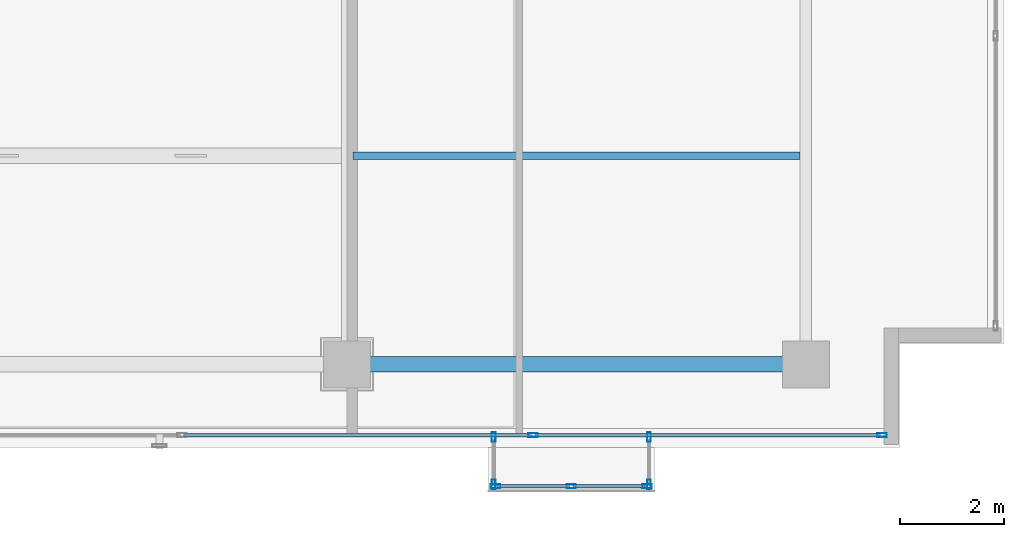
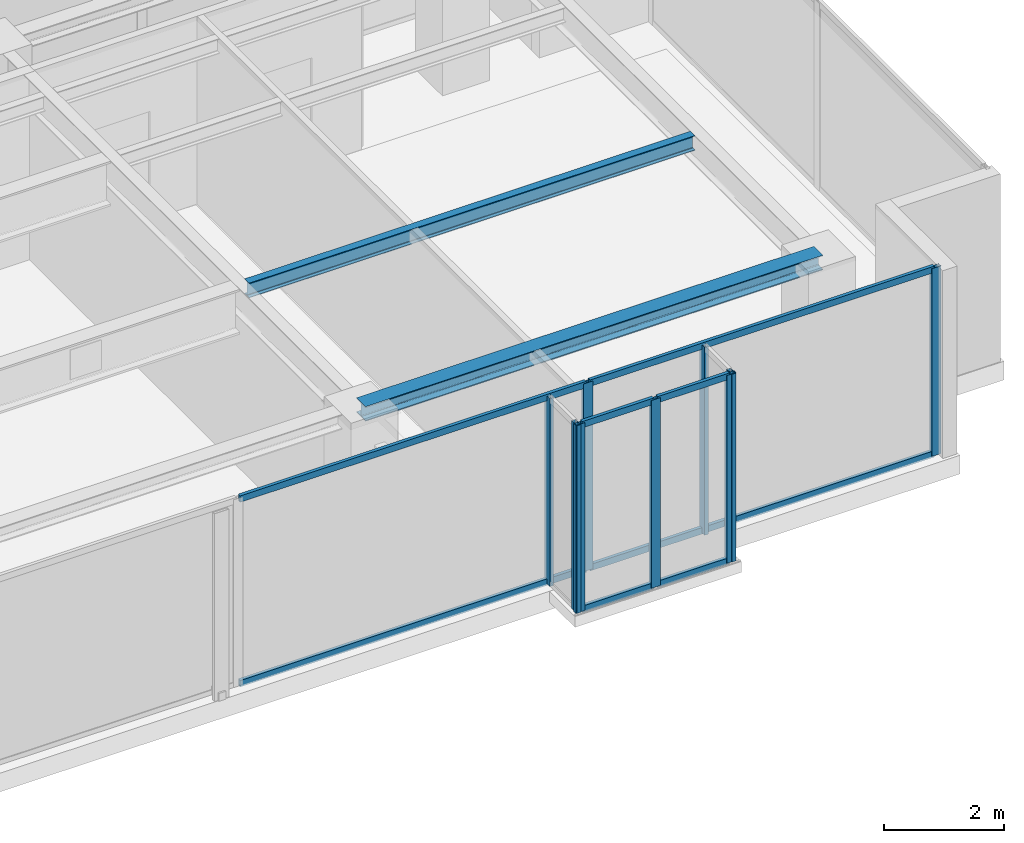
# One storey, part 15 of 32: 17 members, 2 beams, 4 elements without a shape of their own.
"""IFC4 building model written with IfcOpenShell, lengths in metres."""

from ifc_helpers import new_model, si_unit, direction, frame, origin, origin_with_axes, origin_2d, place, context, subcontext, project, spatial, hollow_rectangle, i_section, extrude, source, transform, mapped, material, layer, layer_set, material_profile, profile_set, type_object, element, aggregate, save


model = new_model("IFC4")

# Units and contexts
model_context = context("Model", 3, precision=1e-05, world=origin(), true_north=direction((0.0, 1.0)))
body_context = subcontext(model_context, "Body", "Model", "MODEL_VIEW")
ifc_project = project(units=[si_unit("LENGTHUNIT", "METRE"), si_unit("AREAUNIT", "SQUARE_METRE"), si_unit("VOLUMEUNIT", "CUBIC_METRE"), si_unit("PLANEANGLEUNIT", "RADIAN"), si_unit("MASSUNIT", "GRAM", prefix="KILO")], contexts=[model_context])

# Site, building, storey
site_placement = place(None, origin())
site = spatial("IfcSite", under=ifc_project, at=site_placement, CompositionType="ELEMENT")
building_placement = place(site_placement, origin())
building = spatial("IfcBuilding", under=site, at=building_placement, Name="Kolvaren Waterfront Exchange", CompositionType="ELEMENT")
storey_placement = place(building_placement, frame((0.0, 0.0, 352.0)))
storey = spatial("IfcBuildingStorey", under=building, at=storey_placement, Name="L90", CompositionType="ELEMENT", Elevation=352.0)

# Beams
ifc_material_1 = material(Name="Steel S355", Category="steel")
ifc_material_profile_1 = material_profile(ifc_material_1, i_section(OverallWidth=0.300048828125, OverallDepth=0.300048828125, WebThickness=0.010986328125, FlangeThickness=0.01904296875, FilletRadius=0.027099609375, at=origin_2d()), Name="HEB300")
ifc_profile_set_1 = profile_set([ifc_material_profile_1], Name="Steel S355")
beam_type_1 = type_object("IfcBeamType", Name="STR-BM-HEB300", PredefinedType="SPANDREL", material=ifc_profile_set_1)
beam_1_placement = place(storey_placement, frame((36.800048828125, 5.199951171875, 3.669921875), z_axis=(1.0, 0.0, 0.0), x_axis=(0.0, 1.0, 0.0)))
element("IfcBeam", 1, at=beam_1_placement, inside=storey, type_object=beam_type_1, Name="L90 east-arm spandrel S3", PredefinedType="SPANDREL", context=body_context, shape_type="SweptSolid", body=[
    extrude(i_section(OverallWidth=0.300048828125, OverallDepth=0.300048828125, WebThickness=0.010986328125, FlangeThickness=0.01904296875, FilletRadius=0.027099609375, at=origin_2d()), origin(), (0.0, 0.0, 1.0), 8.800048828125),
])
ifc_material_profile_2 = material_profile(ifc_material_1, i_section(OverallWidth=0.14990234375, OverallDepth=0.300048828125, WebThickness=0.007080078125, FlangeThickness=0.0107421875, FilletRadius=0.014892578125, at=origin_2d()), Name="IPE300")
ifc_profile_set_2 = profile_set([ifc_material_profile_2], Name="Steel S355")
beam_type_2 = type_object("IfcBeamType", Name="STR-BM-IPE300", PredefinedType="JOIST", material=ifc_profile_set_2)
beam_2_placement = place(storey_placement, frame((36.912109375, 9.199951171875, 3.669921875), z_axis=(1.0, 0.0, 0.0), x_axis=(0.0, 1.0, 0.0)))
element("IfcBeam", 2, at=beam_2_placement, inside=storey, type_object=beam_type_2, Name="L90 east-arm composite joist 3B", PredefinedType="JOIST", context=body_context, shape_type="SweptSolid", body=[
    extrude(i_section(OverallWidth=0.14990234375, OverallDepth=0.300048828125, WebThickness=0.007080078125, FlangeThickness=0.0107421875, FilletRadius=0.014892578125, at=origin_2d()), origin(), (0.0, 0.0, 1.0), 8.575927734375),
])

# Curtain wall, members
ifc_material_2 = material(Name="Anodised bronze aluminium 6063-T6", Category="aluminium")
ifc_layer_1 = layer(ifc_material_2, 0.219970703125, Name="Anodised bronze aluminium 6063-T6")
ifc_layer_set_1 = layer_set([ifc_layer_1], Name="Anodised bronze aluminium 6063-T6")
curtain_wall_type_1 = type_object("IfcCurtainWallType", Name="ARC-CW-SYS3", PredefinedType="USERDEFINED", material=ifc_layer_set_1)
curtain_wall_1_placement = place(storey_placement, origin())
curtain_wall_1 = element("IfcCurtainWall", 3, at=curtain_wall_1_placement, inside=storey, type_object=curtain_wall_type_1, Name="L90 stick curtain wall CW3 (CW-L90-BOX)", ObjectType="STICK CURTAIN WALL", PredefinedType="USERDEFINED")
ifc_material_profile_3 = material_profile(ifc_material_2, hollow_rectangle(XDim=0.06494140625, YDim=0.1298828125, WallThickness=0.00390625, at=origin_2d()), Name="ALU-TRN-130x65x4")
ifc_profile_set_3 = profile_set([ifc_material_profile_3], Name="Anodised bronze aluminium 6063-T6")
member_type_1 = type_object("IfcMemberType", Name="ARC-CWT-130", PredefinedType="USERDEFINED", material=ifc_profile_set_3)
shared_shape_1 = source(origin_with_axes(), body_context, "Body", "SweptSolid", [
    extrude(hollow_rectangle(XDim=0.06494140625, YDim=0.1298828125, WallThickness=0.00390625, at=origin_2d()), origin(), (0.0, 0.0, 1.0), 1.37744140625),
])
member_1_placement = place(storey_placement, frame((39.68505859375, 2.860107421875, 0.032470703125), z_axis=(1.0, 0.0, 0.0), x_axis=(0.0, 1.0, 0.0)))
member_1 = element("IfcMember", 4, at=member_1_placement, type_object=member_type_1, Name="CW3 transom 1.1", ObjectType="TRANSOM", PredefinedType="USERDEFINED", context=body_context, shape_type="MappedRepresentation", body=[
    mapped(shared_shape_1, transform((0.0, 0.0, 0.0), x_axis=(1.0, 0.0, 0.0), y_axis=(0.0, 1.0, 0.0), z_axis=(0.0, 0.0, 1.0), scale=1.0)),
])
member_2_placement = place(storey_placement, frame((39.68505859375, 2.860107421875, 3.78759765625), z_axis=(1.0, 0.0, 0.0), x_axis=(0.0, 1.0, 0.0)))
member_2 = element("IfcMember", 5, at=member_2_placement, type_object=member_type_1, Name="CW3 transom 1.2", ObjectType="TRANSOM", PredefinedType="USERDEFINED", context=body_context, shape_type="MappedRepresentation", body=[
    mapped(shared_shape_1, transform((0.0, 0.0, 0.0), x_axis=(1.0, 0.0, 0.0), y_axis=(0.0, 1.0, 0.0), z_axis=(0.0, 0.0, 1.0), scale=1.0)),
])
member_3_placement = place(storey_placement, frame((41.137451171875, 2.860107421875, 0.032470703125), z_axis=(1.0, 0.0, 0.0), x_axis=(0.0, 1.0, 0.0)))
member_3 = element("IfcMember", 6, at=member_3_placement, type_object=member_type_1, Name="CW3 transom 2.1", ObjectType="TRANSOM", PredefinedType="USERDEFINED", context=body_context, shape_type="MappedRepresentation", body=[
    mapped(shared_shape_1, transform((0.0, 0.0, 0.0), x_axis=(1.0, 0.0, 0.0), y_axis=(0.0, 1.0, 0.0), z_axis=(0.0, 0.0, 1.0), scale=1.0)),
])
member_4_placement = place(storey_placement, frame((41.137451171875, 2.860107421875, 3.78759765625), z_axis=(1.0, 0.0, 0.0), x_axis=(0.0, 1.0, 0.0)))
member_4 = element("IfcMember", 7, at=member_4_placement, type_object=member_type_1, Name="CW3 transom 2.2", ObjectType="TRANSOM", PredefinedType="USERDEFINED", context=body_context, shape_type="MappedRepresentation", body=[
    mapped(shared_shape_1, transform((0.0, 0.0, 0.0), x_axis=(1.0, 0.0, 0.0), y_axis=(0.0, 1.0, 0.0), z_axis=(0.0, 0.0, 1.0), scale=1.0)),
])

ifc_layer_2 = layer(ifc_material_2, 0.219970703125, Name="Anodised bronze aluminium 6063-T6")
ifc_layer_set_2 = layer_set([ifc_layer_2], Name="Anodised bronze aluminium 6063-T6")
curtain_wall_type_2 = type_object("IfcCurtainWallType", Name="ARC-CW-SYS5", PredefinedType="USERDEFINED", material=ifc_layer_set_2)
curtain_wall_2_placement = place(storey_placement, origin())
curtain_wall_2 = element("IfcCurtainWall", 8, at=curtain_wall_2_placement, inside=storey, type_object=curtain_wall_type_2, Name="L90 stick curtain wall CW5 (CW-L90-S)", ObjectType="STICK CURTAIN WALL", PredefinedType="USERDEFINED")
shared_shape_2 = source(origin_with_axes(), body_context, "Body", "SweptSolid", [
    extrude(hollow_rectangle(XDim=0.06494140625, YDim=0.1298828125, WallThickness=0.00390625, at=origin_2d()), origin(), (0.0, 0.0, 1.0), 6.620849609375),
])
member_5_placement = place(storey_placement, frame((40.404052734375, 3.840087890625, 0.032470703125), z_axis=(1.0, 0.0, 0.0), x_axis=(0.0, 1.0, 0.0)))
member_5 = element("IfcMember", 9, at=member_5_placement, type_object=member_type_1, Name="CW5 transom 6.1", ObjectType="TRANSOM", PredefinedType="USERDEFINED", context=body_context, shape_type="MappedRepresentation", body=[
    mapped(shared_shape_2, transform((0.0, 0.0, 0.0), x_axis=(1.0, 0.0, 0.0), y_axis=(0.0, 1.0, 0.0), z_axis=(0.0, 0.0, 1.0), scale=1.0)),
])
member_6_placement = place(storey_placement, frame((40.404052734375, 3.840087890625, 3.78759765625), z_axis=(1.0, 0.0, 0.0), x_axis=(0.0, 1.0, 0.0)))
member_6 = element("IfcMember", 10, at=member_6_placement, type_object=member_type_1, Name="CW5 transom 6.2", ObjectType="TRANSOM", PredefinedType="USERDEFINED", context=body_context, shape_type="MappedRepresentation", body=[
    mapped(shared_shape_2, transform((0.0, 0.0, 0.0), x_axis=(1.0, 0.0, 0.0), y_axis=(0.0, 1.0, 0.0), z_axis=(0.0, 0.0, 1.0), scale=1.0)),
])
shared_shape_3 = source(origin_with_axes(), body_context, "Body", "SweptSolid", [
    extrude(hollow_rectangle(XDim=0.06494140625, YDim=0.1298828125, WallThickness=0.00390625, at=origin_2d()), origin(), (0.0, 0.0, 1.0), 6.658203125),
])
member_7_placement = place(storey_placement, frame((33.6708984375, 3.840087890625, 0.032470703125), z_axis=(1.0, 0.0, 0.0), x_axis=(0.0, 1.0, 0.0)))
member_7 = element("IfcMember", 11, at=member_7_placement, type_object=member_type_1, Name="CW5 transom 5.1", ObjectType="TRANSOM", PredefinedType="USERDEFINED", context=body_context, shape_type="MappedRepresentation", body=[
    mapped(shared_shape_3, transform((0.0, 0.0, 0.0), x_axis=(1.0, 0.0, 0.0), y_axis=(0.0, 1.0, 0.0), z_axis=(0.0, 0.0, 1.0), scale=1.0)),
])
member_8_placement = place(storey_placement, frame((33.6708984375, 3.840087890625, 3.78759765625), z_axis=(1.0, 0.0, 0.0), x_axis=(0.0, 1.0, 0.0)))
member_8 = element("IfcMember", 12, at=member_8_placement, type_object=member_type_1, Name="CW5 transom 5.2", ObjectType="TRANSOM", PredefinedType="USERDEFINED", context=body_context, shape_type="MappedRepresentation", body=[
    mapped(shared_shape_3, transform((0.0, 0.0, 0.0), x_axis=(1.0, 0.0, 0.0), y_axis=(0.0, 1.0, 0.0), z_axis=(0.0, 0.0, 1.0), scale=1.0)),
])

curtain_wall_3_placement = place(storey_placement, origin())
curtain_wall_3 = element("IfcCurtainWall", 13, at=curtain_wall_3_placement, inside=storey, type_object=curtain_wall_type_1, Name="L90 stick curtain wall CW3 (CW-L90-BOX-W)", ObjectType="STICK CURTAIN WALL", PredefinedType="USERDEFINED")
ifc_material_profile_4 = material_profile(ifc_material_2, hollow_rectangle(XDim=0.074951171875, YDim=0.179931640625, WallThickness=0.00439453125, at=origin_2d()), Name="ALU-MUL-180x75x4.5")
ifc_profile_set_4 = profile_set([ifc_material_profile_4], Name="Anodised bronze aluminium 6063-T6")
member_type_2 = type_object("IfcMemberType", Name="ARC-CWM-180", PredefinedType="MULLION", material=ifc_profile_set_4)
shared_shape_4 = source(origin_with_axes(), body_context, "Body", "SweptSolid", [
    extrude(hollow_rectangle(XDim=0.074951171875, YDim=0.179931640625, WallThickness=0.00439453125, at=origin_2d()), origin(), (0.0, 0.0, 1.0), 3.820068359375),
])
member_9_placement = place(storey_placement, frame((39.610107421875, 3.802490234375, 0.0), z_axis=(0.0, 0.0, 1.0), x_axis=(1.0, 0.0, 0.0)))
member_9 = element("IfcMember", 14, at=member_9_placement, type_object=member_type_2, Name="CW3 mullion 1", PredefinedType="MULLION", context=body_context, shape_type="MappedRepresentation", body=[
    mapped(shared_shape_4, transform((0.0, 0.0, 0.0), x_axis=(1.0, 0.0, 0.0), y_axis=(0.0, 1.0, 0.0), z_axis=(0.0, 0.0, 1.0), scale=1.0)),
])
member_10_placement = place(storey_placement, frame((39.610107421875, 2.8974609375, 0.0), z_axis=(0.0, 0.0, 1.0), x_axis=(1.0, 0.0, 0.0)))
member_10 = element("IfcMember", 15, at=member_10_placement, type_object=member_type_2, Name="CW3 mullion 2", PredefinedType="MULLION", context=body_context, shape_type="MappedRepresentation", body=[
    mapped(shared_shape_4, transform((0.0, 0.0, 0.0), x_axis=(1.0, 0.0, 0.0), y_axis=(0.0, 1.0, 0.0), z_axis=(0.0, 0.0, 1.0), scale=1.0)),
])
aggregate(curtain_wall_3, [member_9, member_10])

# Member
member_11_placement = place(storey_placement, frame((39.6474609375, 2.860107421875, 0.0), z_axis=(0.0, 0.0, 1.0), x_axis=(0.0, 1.0, 0.0)))
member_11 = element("IfcMember", 16, at=member_11_placement, type_object=member_type_2, Name="CW3 mullion 1", PredefinedType="MULLION", context=body_context, shape_type="MappedRepresentation", body=[
    mapped(shared_shape_4, transform((0.0, 0.0, 0.0), x_axis=(1.0, 0.0, 0.0), y_axis=(0.0, 1.0, 0.0), z_axis=(0.0, 0.0, 1.0), scale=1.0)),
])

member_12_placement = place(storey_placement, frame((41.10009765625, 2.860107421875, 0.0), z_axis=(0.0, 0.0, 1.0), x_axis=(0.0, 1.0, 0.0)))
member_12 = element("IfcMember", 17, at=member_12_placement, type_object=member_type_2, Name="CW3 mullion 2", PredefinedType="MULLION", context=body_context, shape_type="MappedRepresentation", body=[
    mapped(shared_shape_4, transform((0.0, 0.0, 0.0), x_axis=(1.0, 0.0, 0.0), y_axis=(0.0, 1.0, 0.0), z_axis=(0.0, 0.0, 1.0), scale=1.0)),
])

member_13_placement = place(storey_placement, frame((42.552490234375, 2.860107421875, 0.0), z_axis=(0.0, 0.0, 1.0), x_axis=(0.0, 1.0, 0.0)))
member_13 = element("IfcMember", 18, at=member_13_placement, type_object=member_type_2, Name="CW3 mullion 3", PredefinedType="MULLION", context=body_context, shape_type="MappedRepresentation", body=[
    mapped(shared_shape_4, transform((0.0, 0.0, 0.0), x_axis=(1.0, 0.0, 0.0), y_axis=(0.0, 1.0, 0.0), z_axis=(0.0, 0.0, 1.0), scale=1.0)),
])

aggregate(curtain_wall_1, [member_11, member_12, member_13, member_1, member_2, member_3, member_4])

# Curtain wall, members
curtain_wall_4_placement = place(storey_placement, origin())
curtain_wall_4 = element("IfcCurtainWall", 19, at=curtain_wall_4_placement, inside=storey, type_object=curtain_wall_type_1, Name="L90 stick curtain wall CW3 (CW-L90-BOX-E)", ObjectType="STICK CURTAIN WALL", PredefinedType="USERDEFINED")
member_14_placement = place(storey_placement, frame((42.590087890625, 2.8974609375, 0.0), z_axis=(0.0, 0.0, 1.0), x_axis=(-1.0, 0.0, 0.0)))
member_14 = element("IfcMember", 20, at=member_14_placement, type_object=member_type_2, Name="CW3 mullion 1", PredefinedType="MULLION", context=body_context, shape_type="MappedRepresentation", body=[
    mapped(shared_shape_4, transform((0.0, 0.0, 0.0), x_axis=(1.0, 0.0, 0.0), y_axis=(0.0, 1.0, 0.0), z_axis=(0.0, 0.0, 1.0), scale=1.0)),
])
member_15_placement = place(storey_placement, frame((42.590087890625, 3.802490234375, 0.0), z_axis=(0.0, 0.0, 1.0), x_axis=(-1.0, 0.0, 0.0)))
member_15 = element("IfcMember", 21, at=member_15_placement, type_object=member_type_2, Name="CW3 mullion 2", PredefinedType="MULLION", context=body_context, shape_type="MappedRepresentation", body=[
    mapped(shared_shape_4, transform((0.0, 0.0, 0.0), x_axis=(1.0, 0.0, 0.0), y_axis=(0.0, 1.0, 0.0), z_axis=(0.0, 0.0, 1.0), scale=1.0)),
])
aggregate(curtain_wall_4, [member_14, member_15])

# Member
member_16_placement = place(storey_placement, frame((40.36669921875, 3.840087890625, 0.0), z_axis=(0.0, 0.0, 1.0), x_axis=(0.0, 1.0, 0.0)))
member_16 = element("IfcMember", 22, at=member_16_placement, type_object=member_type_2, Name="CW5 mullion 6", PredefinedType="MULLION", context=body_context, shape_type="MappedRepresentation", body=[
    mapped(shared_shape_4, transform((0.0, 0.0, 0.0), x_axis=(1.0, 0.0, 0.0), y_axis=(0.0, 1.0, 0.0), z_axis=(0.0, 0.0, 1.0), scale=1.0)),
])

member_17_placement = place(storey_placement, frame((47.0625, 3.840087890625, 0.0), z_axis=(0.0, 0.0, 1.0), x_axis=(0.0, 1.0, 0.0)))
member_17 = element("IfcMember", 23, at=member_17_placement, type_object=member_type_2, Name="CW5 mullion 7", PredefinedType="MULLION", context=body_context, shape_type="MappedRepresentation", body=[
    mapped(shared_shape_4, transform((0.0, 0.0, 0.0), x_axis=(1.0, 0.0, 0.0), y_axis=(0.0, 1.0, 0.0), z_axis=(0.0, 0.0, 1.0), scale=1.0)),
])

aggregate(curtain_wall_2, [member_16, member_17, member_7, member_8, member_5, member_6])

save(model, "model.ifc")
